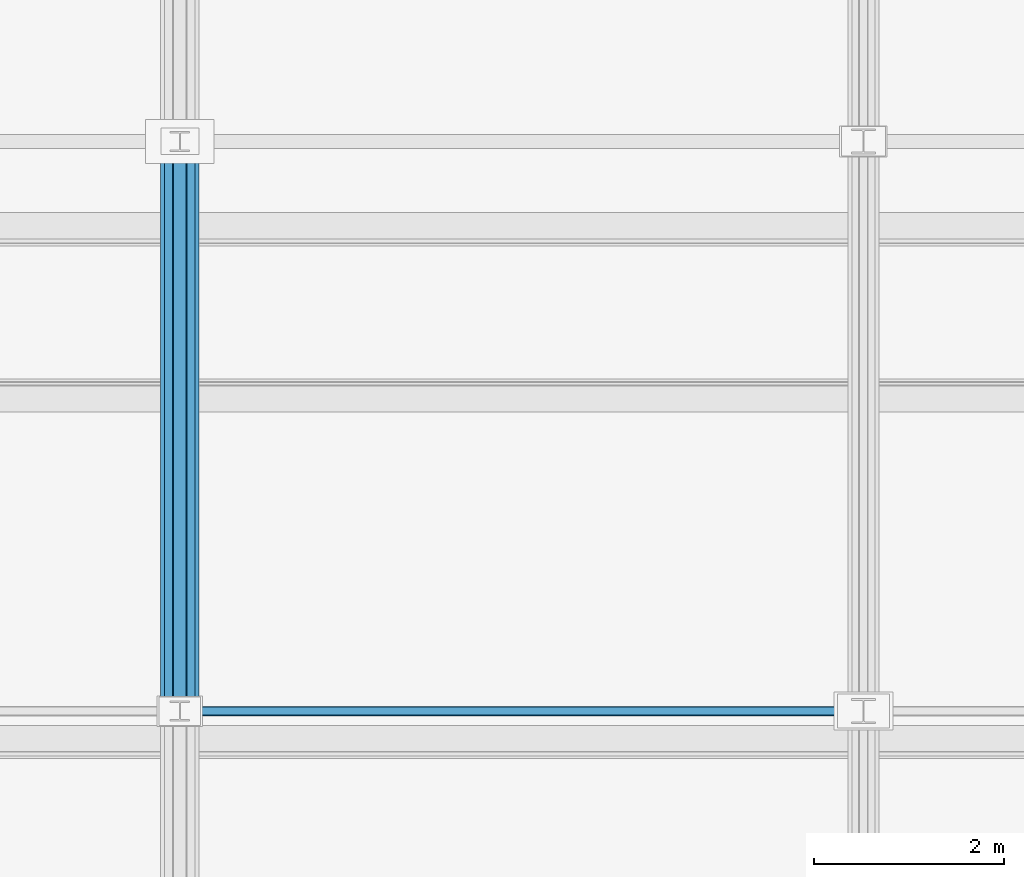
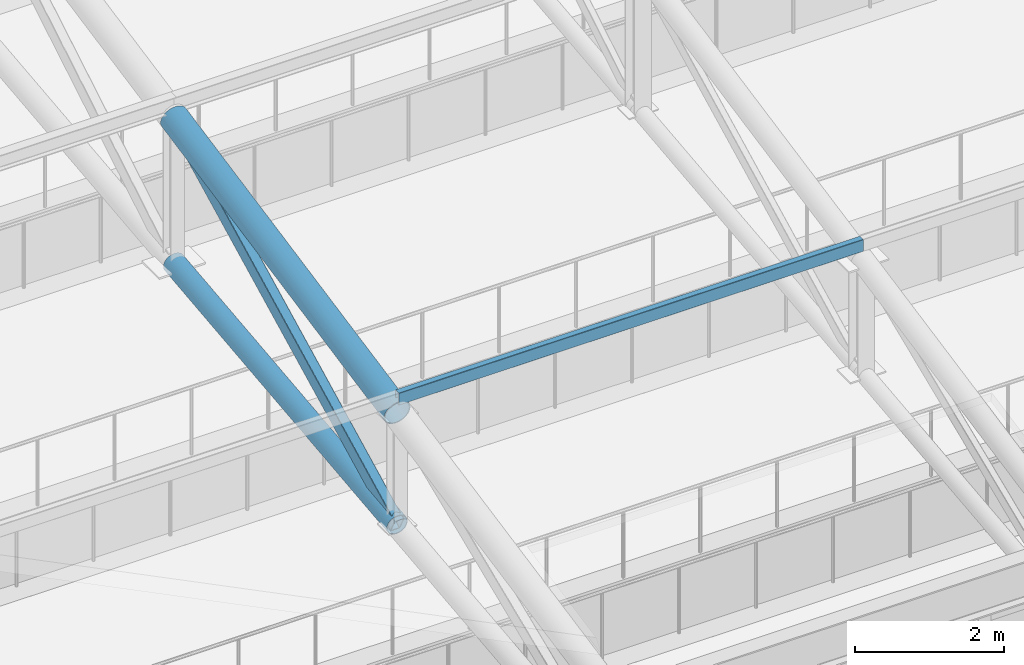
# One storey, part 139 of 293: 4 members.
"""IFC4 building model written with IfcOpenShell, lengths in metres."""

from ifc_helpers import new_model, si_unit, direction, frame, origin, origin_2d, place, context, subcontext, project, spatial, hollow_rectangle, hollow_circle, extrude, material, material_profile, profile_set, type_object, element, save


model = new_model("IFC4")

# Units and contexts
model_context = context("Model", 3, precision=1e-05, world=origin(), true_north=direction((0.0, 1.0)))
body_context = subcontext(model_context, "Body", "Model", "MODEL_VIEW")
ifc_project = project(units=[si_unit("LENGTHUNIT", "METRE"), si_unit("AREAUNIT", "SQUARE_METRE"), si_unit("VOLUMEUNIT", "CUBIC_METRE"), si_unit("PLANEANGLEUNIT", "RADIAN"), si_unit("MASSUNIT", "GRAM", prefix="KILO")], contexts=[model_context])

# Site, building, storey
site_placement = place(None, origin())
site = spatial("IfcSite", under=ifc_project, at=site_placement, CompositionType="ELEMENT")
building_placement = place(site_placement, origin())
building = spatial("IfcBuilding", under=site, at=building_placement, Name="Kemerveld Promenade Tramway Depot", CompositionType="ELEMENT")
storey_placement = place(building_placement, origin())
storey = spatial("IfcBuildingStorey", under=building, at=storey_placement, Name="L00", CompositionType="ELEMENT", Elevation=0.0)

# Members
ifc_material = material(Name="Steel S355", Category="steel")
ifc_material_profile_1 = material_profile(ifc_material, hollow_rectangle(XDim=0.14990234375, YDim=0.25, WallThickness=0.010009765625, InnerFilletRadius=0.0048828125, OuterFilletRadius=0.014892578125, at=origin_2d()), Name="250x150x10.0 RHS")
ifc_profile_set_1 = profile_set([ifc_material_profile_1], Name="Steel S355")
member_type_1 = type_object("IfcMemberType", Name="MB-M02", PredefinedType="BRACE", material=ifc_profile_set_1)
member_1_placement = place(storey_placement, frame((122.39990234375, 90.0, 10.4599609375), z_axis=(0.0, 0.892033434612, 0.451969414379), x_axis=(-1.0, 0.0, 0.0)))
element("IfcMember", 1, at=member_1_placement, inside=storey, type_object=member_type_1, Name="TR-18-DG-02", PredefinedType="BRACE", context=body_context, shape_type="SweptSolid", body=[
    extrude(hollow_rectangle(XDim=0.14990234375, YDim=0.25, WallThickness=0.010009765625, InnerFilletRadius=0.0048828125, OuterFilletRadius=0.014892578125, at=origin_2d()), origin(), (0.0, 0.0, 1.0), 6.726318359375),
])
ifc_material_profile_2 = material_profile(ifc_material, hollow_rectangle(XDim=0.10009765625, YDim=0.199951171875, WallThickness=0.008056640625, InnerFilletRadius=0.00390625, OuterFilletRadius=0.011962890625, at=origin_2d()), Name="200x100x8.0 RHS")
ifc_profile_set_2 = profile_set([ifc_material_profile_2], Name="Steel S355")
member_type_2 = type_object("IfcMemberType", Name="MB-PR2", PredefinedType="PURLIN", material=ifc_profile_set_2)
member_2_placement = place(storey_placement, frame((122.39990234375, 90.0, 12.544921875), z_axis=(1.0, 0.0, 0.0), x_axis=(0.0, 1.0, 0.0)))
element("IfcMember", 2, at=member_2_placement, inside=storey, type_object=member_type_2, Name="PUR-V1-01-18", PredefinedType="PURLIN", context=body_context, shape_type="SweptSolid", body=[
    extrude(hollow_rectangle(XDim=0.10009765625, YDim=0.199951171875, WallThickness=0.008056640625, InnerFilletRadius=0.00390625, OuterFilletRadius=0.011962890625, at=origin_2d()), origin(), (0.0, 0.0, 1.0), 7.2001953125),
])
ifc_material_profile_3 = material_profile(ifc_material, hollow_circle(Radius=0.203125, WallThickness=0.01611328125, at=origin_2d()), Name="406.4x16.0 CHS")
ifc_profile_set_3 = profile_set([ifc_material_profile_3], Name="Steel S355")
member_type_3 = type_object("IfcMemberType", Name="MB-TC1", PredefinedType="CHORD", material=ifc_profile_set_3)
member_3_placement = place(storey_placement, frame((122.39990234375, 90.0, 12.300048828125), z_axis=(0.0, 0.980582210276, 0.196108462057), x_axis=(-1.0, 0.0, 0.0)))
element("IfcMember", 3, at=member_3_placement, inside=storey, type_object=member_type_3, Name="TR-18-TC-02", PredefinedType="CHORD", context=body_context, shape_type="SweptSolid", body=[
    extrude(hollow_circle(Radius=0.203125, WallThickness=0.01611328125, at=origin_2d()), origin(), (0.0, 0.0, 1.0), 6.118896484375),
])
ifc_material_profile_4 = material_profile(ifc_material, hollow_circle(Radius=0.161865234375, WallThickness=0.012451171875, at=origin_2d()), Name="323.9x12.5 CHS")
ifc_profile_set_4 = profile_set([ifc_material_profile_4], Name="Steel S355")
member_type_4 = type_object("IfcMemberType", Name="MB-TC2", PredefinedType="CHORD", material=ifc_profile_set_4)
member_4_placement = place(storey_placement, frame((122.39990234375, 90.0, 10.4599609375), z_axis=(0.0, 0.994001542248, 0.109366055104), x_axis=(-1.0, 0.0, 0.0)))
element("IfcMember", 4, at=member_4_placement, inside=storey, type_object=member_type_4, Name="TR-18-BC-02", PredefinedType="CHORD", context=body_context, shape_type="SweptSolid", body=[
    extrude(hollow_circle(Radius=0.161865234375, WallThickness=0.012451171875, at=origin_2d()), origin(), (0.0, 0.0, 1.0), 6.0361328125),
])

save(model, "model.ifc")
